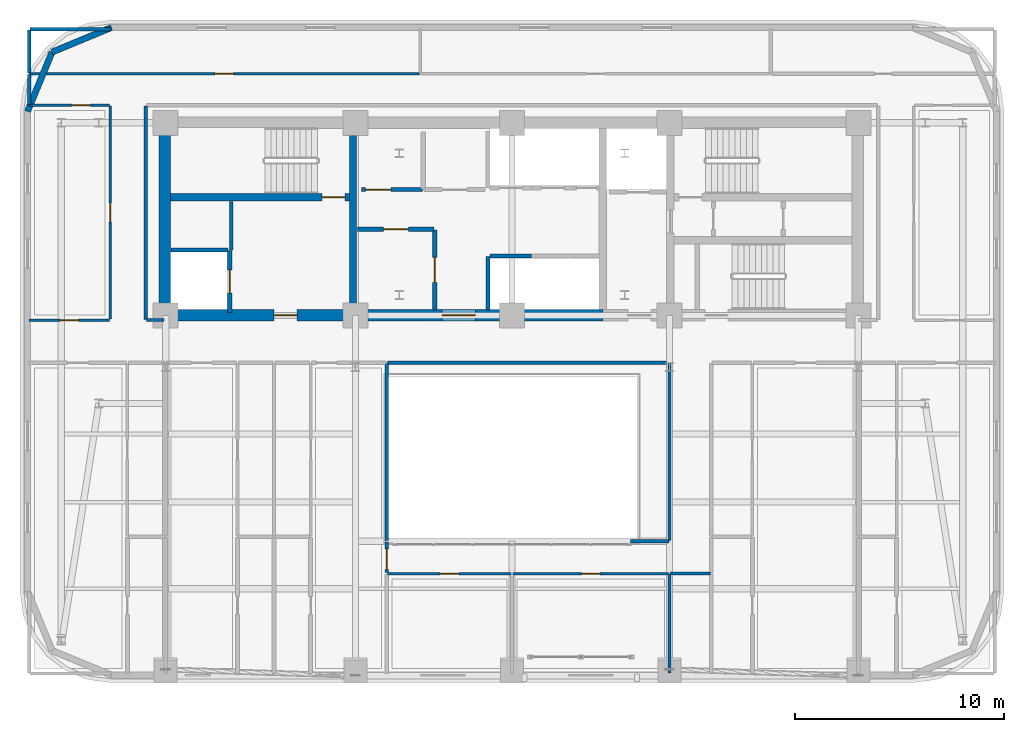
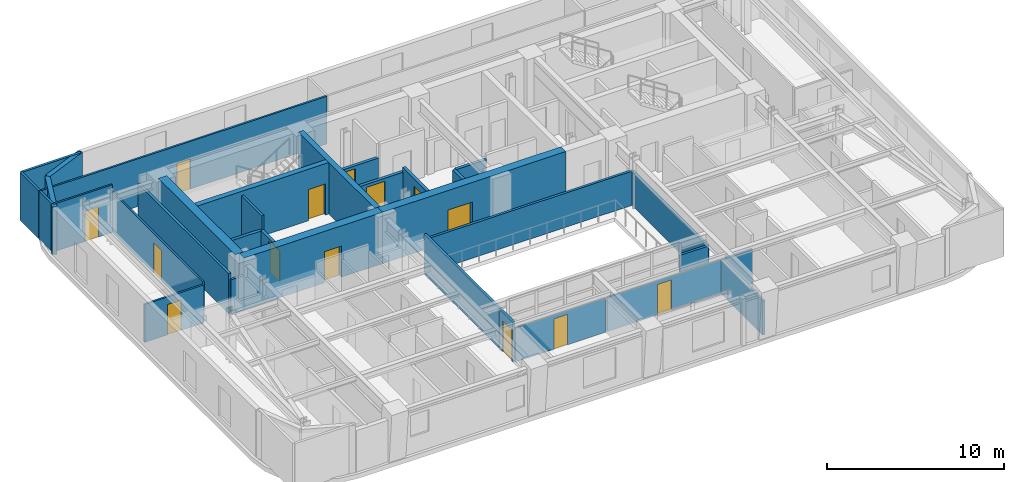
# One storey, part 7 of 13: 33 walls, 14 doors, 14 openings.
"""IFC4 building model written with IfcOpenShell, lengths in metres."""

from ifc_helpers import new_model, si_unit, direction, frame, frame_2d, origin, place, context, subcontext, project, spatial, rectangle, extrude, material, layer, layer_set, type_object, element, fill, save


model = new_model("IFC4")

# Units and contexts
model_context = context("Model", 3, precision=1e-05, world=origin(), true_north=direction((0.0, 1.0)))
body_context = subcontext(model_context, "Body", "Model", "MODEL_VIEW")
ifc_project = project(units=[si_unit("LENGTHUNIT", "METRE"), si_unit("AREAUNIT", "SQUARE_METRE"), si_unit("VOLUMEUNIT", "CUBIC_METRE"), si_unit("PLANEANGLEUNIT", "RADIAN"), si_unit("MASSUNIT", "GRAM", prefix="KILO")], contexts=[model_context])

# Site, building, storey
site_placement = place(None, origin())
site = spatial("IfcSite", under=ifc_project, at=site_placement, CompositionType="ELEMENT")
building_placement = place(site_placement, origin())
building = spatial("IfcBuilding", under=site, at=building_placement, Name="Zarnavel Station Tower", CompositionType="ELEMENT")
storey_placement = place(building_placement, frame((0.0, 0.0, 169.64990234375)))
storey = spatial("IfcBuildingStorey", under=building, at=storey_placement, Name="L46", CompositionType="ELEMENT", Elevation=169.64990234375)

# Wall
ifc_material_1 = material(Name="Concrete C50/60", Category="concrete")
ifc_layer_1 = layer(ifc_material_1, 0.35009765625)
ifc_layer_set_1 = layer_set([ifc_layer_1], Name="CW_350")
wall_type_1 = type_object("IfcWallType", Name="CW_350", PredefinedType="SHEAR", material=ifc_layer_set_1)
wall_1_placement = place(storey_placement, frame((21.179931640625, 28.094970703125, 0.0), z_axis=(0.0, 0.0, 1.0), x_axis=(0.0, 1.0, 0.0)))
element("IfcWall", 1, at=wall_1_placement, inside=storey, type_object=wall_type_1, Name="L46 Rear Core Shear Wall DIV-W", PredefinedType="SHEAR", context=body_context, shape_type="SweptSolid", body=[
    extrude(rectangle(XDim=8.679931640625, YDim=0.35009765625, at=frame_2d((4.33984375, 0.0))), origin(), (0.0, 0.0, 1.0), 3.550048828125),
])

# Wall, opening, door
wall_2_placement = place(storey_placement, frame((21.0048828125, 33.47998046875, 0.0), z_axis=(0.0, 0.0, 1.0), x_axis=(-1.0, 0.0, 0.0)))
wall_2 = element("IfcWall", 2, at=wall_2_placement, inside=storey, type_object=wall_type_1, Name="L46 Rear Core Shear Wall DIV-H1", PredefinedType="SHEAR", context=body_context, shape_type="SweptSolid", body=[
    extrude(rectangle(XDim=8.579833984375, YDim=0.35009765625, at=frame_2d((4.2900390625, 0.0))), origin(), (0.0, 0.0, 1.0), 3.550048828125),
])
opening_1_placement = place(wall_2_placement, frame((0.219970703125, 0.0, 0.0)))
opening_1 = element("IfcOpeningElement", 3, at=opening_1_placement, cuts=wall_2, Name="Opening FD01", PredefinedType="OPENING", context=body_context, shape_type="SweptSolid", body=[
    extrude(rectangle(XDim=1.10009765625, YDim=2.14990234375, at=frame_2d((0.550048828125, 1.074951171875))), frame((0.0, 0.18505859375, 0.0), z_axis=(0.0, -1.0, 0.0), x_axis=(1.0, 0.0, 0.0)), (0.0, 0.0, 1.0), 0.3701171875),
])
ifc_material_2 = material(Name="Painted Galvanised Steel and Hardwood Leaf", Category="steel")
door_type_1 = type_object("IfcDoorType", Name="ID_STAIR_1100", OperationType="NOTDEFINED", PredefinedType="DOOR", material=ifc_material_2)
door_1_placement = place(opening_1_placement, origin())
door_1 = element("IfcDoor", 4, at=door_1_placement, inside=storey, type_object=door_type_1, Name="L46 Stair ST1 Lobby Fire Door", OperationType="SINGLE_SWING_LEFT", OverallHeight=2.14990234375, OverallWidth=1.10009765625, PredefinedType="DOOR", context=body_context, shape_type="SweptSolid", body=[
    extrude(rectangle(XDim=1.10009765625, YDim=2.14990234375, at=frame_2d((0.550048828125, 1.074951171875))), frame((0.0, 0.02490234375, 0.0), z_axis=(0.0, -1.0, 0.0), x_axis=(1.0, 0.0, 0.0)), (0.0, 0.0, 1.0), 0.050048828125),
])
fill(opening_1, door_1)

ifc_material_3 = material(Name="Concrete C50/60", Category="concrete")
ifc_layer_2 = layer(ifc_material_3, 0.550048828125)
ifc_layer_set_2 = layer_set([ifc_layer_2], Name="CW_550")
wall_type_2 = type_object("IfcWallType", Name="CW_550", PredefinedType="SHEAR", material=ifc_layer_set_2)
wall_3_placement = place(storey_placement, frame((21.179931640625, 27.820068359375, 0.0), z_axis=(0.0, 0.0, 1.0), x_axis=(-1.0, 0.0, 0.0)))
wall_3 = element("IfcWall", 5, at=wall_3_placement, inside=storey, type_object=wall_type_2, Name="L46 Rear Core Shear Wall S-W", PredefinedType="SHEAR", context=body_context, shape_type="SweptSolid", body=[
    extrude(rectangle(XDim=9.030029296875, YDim=0.550048828125, at=frame_2d((4.51513671875, 0.0))), origin(), (0.0, 0.0, 1.0), 3.550048828125),
])
opening_2_placement = place(wall_3_placement, frame((2.679931640625, 0.0, 0.0)))
opening_2 = element("IfcOpeningElement", 6, at=opening_2_placement, cuts=wall_3, Name="Opening FD01", PredefinedType="OPENING", context=body_context, shape_type="SweptSolid", body=[
    extrude(rectangle(XDim=1.10009765625, YDim=2.14990234375, at=frame_2d((0.550048828125, 1.074951171875))), frame((0.0, 0.284912109375, 0.0), z_axis=(0.0, -1.0, 0.0), x_axis=(1.0, 0.0, 0.0)), (0.0, 0.0, 1.0), 0.570068359375),
])
door_2_placement = place(opening_2_placement, origin())
door_2 = element("IfcDoor", 7, at=door_2_placement, inside=storey, type_object=door_type_1, Name="L46 West Firefighting Lobby Door", OperationType="SINGLE_SWING_RIGHT", OverallHeight=2.14990234375, OverallWidth=1.10009765625, PredefinedType="DOOR", context=body_context, shape_type="SweptSolid", body=[
    extrude(rectangle(XDim=1.10009765625, YDim=2.14990234375, at=frame_2d((0.550048828125, 1.074951171875))), frame((0.0, 0.02490234375, 0.0), z_axis=(0.0, -1.0, 0.0), x_axis=(1.0, 0.0, 0.0)), (0.0, 0.0, 1.0), 0.050048828125),
])
fill(opening_2, door_2)

wall_4_placement = place(storey_placement, frame((33.14990234375, 27.820068359375, 0.0), z_axis=(0.0, 0.0, 1.0), x_axis=(-1.0, 0.0, 0.0)))
wall_4 = element("IfcWall", 8, at=wall_4_placement, inside=storey, type_object=wall_type_2, Name="L46 Rear Core Shear Wall S-M", PredefinedType="SHEAR", context=body_context, shape_type="SweptSolid", body=[
    extrude(rectangle(XDim=11.969970703125, YDim=0.550048828125, at=frame_2d((5.98486328125, 0.0))), origin(), (0.0, 0.0, 1.0), 3.550048828125),
])
opening_3_placement = place(wall_4_placement, frame((6.10009765625, 0.0, 0.0)))
opening_3 = element("IfcOpeningElement", 9, at=opening_3_placement, cuts=wall_4, Name="Opening ID03", PredefinedType="OPENING", context=body_context, shape_type="SweptSolid", body=[
    extrude(rectangle(XDim=1.60009765625, YDim=2.199951171875, at=frame_2d((0.800048828125, 1.10009765625))), frame((0.0, 0.284912109375, 0.0), z_axis=(0.0, -1.0, 0.0), x_axis=(1.0, 0.0, 0.0)), (0.0, 0.0, 1.0), 0.570068359375),
])
ifc_material_4 = material(Name="Painted Galvanised Steel and Hardwood Leaf", Category="steel")
door_type_2 = type_object("IfcDoorType", Name="ID_PUBLIC_1600", OperationType="DOUBLE_DOOR_SINGLE_SWING", PredefinedType="DOOR", material=ifc_material_4)
door_3_placement = place(opening_3_placement, origin())
door_3 = element("IfcDoor", 10, at=door_3_placement, inside=storey, type_object=door_type_2, Name="L46 Passenger Lift Lobby Double Door", OperationType="SINGLE_SWING_LEFT", OverallHeight=2.199951171875, OverallWidth=1.60009765625, PredefinedType="DOOR", context=body_context, shape_type="SweptSolid", body=[
    extrude(rectangle(XDim=1.60009765625, YDim=2.199951171875, at=frame_2d((0.800048828125, 1.10009765625))), frame((0.0, 0.02490234375, 0.0), z_axis=(0.0, -1.0, 0.0), x_axis=(1.0, 0.0, 0.0)), (0.0, 0.0, 1.0), 0.050048828125),
])
fill(opening_3, door_3)

# Walls
wall_5_placement = place(storey_placement, frame((12.14990234375, 28.094970703125, 0.0), z_axis=(0.0, 0.0, 1.0), x_axis=(0.0, 1.0, 0.0)))
element("IfcWall", 11, at=wall_5_placement, inside=storey, type_object=wall_type_2, Name="L46 Rear Core Shear Wall W", PredefinedType="SHEAR", context=body_context, shape_type="SweptSolid", body=[
    extrude(rectangle(XDim=8.679931640625, YDim=0.550048828125, at=frame_2d((4.33984375, 0.0))), origin(), (0.0, 0.0, 1.0), 3.550048828125),
])
ifc_material_5 = material(Name="Precast concrete C45/55 (Dark Basalt Finish)", Category="masonry")
ifc_layer_3 = layer(ifc_material_5, 0.300048828125)
ifc_layer_set_3 = layer_set([ifc_layer_3], Name="EW_BASALT_300")
wall_type_3 = type_object("IfcWallType", Name="EW_BASALT_300", PredefinedType="SOLIDWALL", material=ifc_layer_set_3)
wall_6_placement = place(storey_placement, frame((6.75732421875, 40.442626953125, 0.0), z_axis=(0.0, 0.0, 1.0), x_axis=(0.923882414032, 0.382676475685, 0.0)))
element("IfcWall", 12, at=wall_6_placement, inside=storey, type_object=wall_type_3, Name="L46 Exterior Basalt Masonry Frame Wall 07", PredefinedType="SOLIDWALL", context=body_context, shape_type="SweptSolid", body=[
    extrude(rectangle(XDim=3.076904296875, YDim=0.300048828125, at=frame_2d((1.53857421875, 0.0))), origin(), (0.0, 0.0, 1.0), 3.2900390625),
])
wall_7_placement = place(storey_placement, frame((5.580078125, 37.60009765625, 0.0), z_axis=(0.0, 0.0, 1.0), x_axis=(0.382636798336, 0.92389884758, 0.0)))
element("IfcWall", 13, at=wall_7_placement, inside=storey, type_object=wall_type_3, Name="L46 Exterior Basalt Masonry Frame Wall 08", PredefinedType="SOLIDWALL", context=body_context, shape_type="SweptSolid", body=[
    extrude(rectangle(XDim=3.07666015625, YDim=0.300048828125, at=frame_2d((1.538330078125, 0.0))), origin(), (0.0, 0.0, 1.0), 3.2900390625),
])

# Wall, opening, door
ifc_material_6 = material(Name="Gypsum Twin-Stud Acoustic Fire Partition", Category="concrete")
ifc_layer_4 = layer(ifc_material_6, 0.159912109375)
ifc_layer_set_4 = layer_set([ifc_layer_4], Name="PT_DEMISE_160")
wall_type_4 = type_object("IfcWallType", Name="PT_DEMISE_160", PredefinedType="PARTITIONING", material=ifc_layer_set_4)
wall_8_placement = place(storey_placement, frame((22.800048828125, 15.489990234375, 0.0), z_axis=(0.0, 0.0, 1.0), x_axis=(0.0, 1.0, 0.0)))
wall_8 = element("IfcWall", 14, at=wall_8_placement, inside=storey, type_object=wall_type_4, Name="L46 Partition COR-AS-HW3R", PredefinedType="PARTITIONING", context=body_context, shape_type="SweptSolid", body=[
    extrude(rectangle(XDim=1.469970703125, YDim=0.159912109375, at=frame_2d((0.73486328125, 0.0))), origin(), (0.0, 0.0, 1.0), 2.72998046875),
])
opening_4_placement = place(wall_8_placement, frame((0.14794921875, 0.0, 0.0)))
opening_4 = element("IfcOpeningElement", 15, at=opening_4_placement, cuts=wall_8, Name="Opening FD02", PredefinedType="OPENING", context=body_context, shape_type="SweptSolid", body=[
    extrude(rectangle(XDim=1.0, YDim=2.14990234375, at=frame_2d((0.5, 1.074951171875))), frame((0.0, 0.08984375, 0.0), z_axis=(0.0, -1.0, 0.0), x_axis=(1.0, 0.0, 0.0)), (0.0, 0.0, 1.0), 0.179931640625),
])
ifc_material_7 = material(Name="Painted Galvanised Steel and Hardwood Leaf", Category="steel")
door_type_3 = type_object("IfcDoorType", Name="ID_ENTRY_1000", OperationType="NOTDEFINED", PredefinedType="DOOR", material=ifc_material_7)
door_4_placement = place(opening_4_placement, origin())
door_4 = element("IfcDoor", 16, at=door_4_placement, inside=storey, type_object=door_type_3, Name="L46 Door COR-AS-HW3R", OperationType="SINGLE_SWING_RIGHT", OverallHeight=2.14990234375, OverallWidth=1.0, PredefinedType="DOOR", context=body_context, shape_type="SweptSolid", body=[
    extrude(rectangle(XDim=1.0, YDim=2.14990234375, at=frame_2d((0.5, 1.074951171875))), frame((0.0, 0.02490234375, 0.0), z_axis=(0.0, -1.0, 0.0), x_axis=(1.0, 0.0, 0.0)), (0.0, 0.0, 1.0), 0.050048828125),
])
fill(opening_4, door_4)

# Walls
wall_9_placement = place(storey_placement, frame((15.35009765625, 30.9599609375, 0.0), z_axis=(0.0, 0.0, 1.0), x_axis=(0.0, 1.0, 0.0)))
element("IfcWall", 17, at=wall_9_placement, inside=storey, type_object=wall_type_4, Name="L46 Enclosure Wall FFL1", PredefinedType="PARTITIONING", context=body_context, shape_type="SweptSolid", body=[
    extrude(rectangle(XDim=2.31005859375, YDim=0.159912109375, at=frame_2d((1.155029296875, 0.0))), origin(), (0.0, 0.0, 1.0), 3.2900390625),
])
wall_10_placement = place(storey_placement, frame((22.830078125, 25.550048828125, 0.0), z_axis=(0.0, 0.0, 1.0), x_axis=(1.0, 0.0, 0.0)))
element("IfcWall", 18, at=wall_10_placement, inside=storey, type_object=wall_type_4, Name="L46 Enclosure Wall COR-S", PredefinedType="PARTITIONING", context=body_context, shape_type="SweptSolid", body=[
    extrude(rectangle(XDim=13.489990234375, YDim=0.159912109375, at=frame_2d((6.7451171875, 0.0))), origin(), (0.0, 0.0, 1.0), 2.360107421875),
])
wall_11_placement = place(storey_placement, frame((11.280029296875, 27.60009765625, 0.0), z_axis=(0.0, 0.0, 1.0), x_axis=(1.0, 0.0, 0.0)))
element("IfcWall", 19, at=wall_11_placement, inside=storey, type_object=wall_type_4, Name="L46 Enclosure Wall COR-S", PredefinedType="PARTITIONING", context=body_context, shape_type="SweptSolid", body=[
    extrude(rectangle(XDim=0.840087890625, YDim=0.159912109375, at=frame_2d((0.419921875, 0.0))), origin(), (0.0, 0.0, 1.0), 2.360107421875),
])
wall_12_placement = place(storey_placement, frame((11.25, 27.6298828125, 0.0), z_axis=(0.0, 0.0, 1.0), x_axis=(0.0, 1.0, 0.0)))
element("IfcWall", 20, at=wall_12_placement, inside=storey, type_object=wall_type_4, Name="L46 Enclosure Wall COR-W", PredefinedType="PARTITIONING", context=body_context, shape_type="SweptSolid", body=[
    extrude(rectangle(XDim=10.240234375, YDim=0.159912109375, at=frame_2d((5.1201171875, 0.0))), origin(), (0.0, 0.0, 1.0), 2.77001953125),
])
wall_13_placement = place(storey_placement, frame((5.659912109375, 37.929931640625, 0.0), z_axis=(0.0, 0.0, 1.0), x_axis=(0.0, 1.0, 0.0)))
element("IfcWall", 21, at=wall_13_placement, inside=storey, type_object=wall_type_4, Name="L46 Enclosure Wall COR-N", PredefinedType="PARTITIONING", context=body_context, shape_type="SweptSolid", body=[
    extrude(rectangle(XDim=1.440185546875, YDim=0.159912109375, at=frame_2d((0.72021484375, 0.0))), origin(), (0.0, 0.0, 1.0), 3.2900390625),
])
wall_14_placement = place(storey_placement, frame((36.3798828125, 15.449951171875, 0.0), z_axis=(0.0, 0.0, 1.0), x_axis=(1.0, 0.0, 0.0)))
element("IfcWall", 22, at=wall_14_placement, inside=storey, type_object=wall_type_4, Name="L46 Enclosure Wall COR-AE", PredefinedType="PARTITIONING", context=body_context, shape_type="SweptSolid", body=[
    extrude(rectangle(XDim=1.940185546875, YDim=0.159912109375, at=frame_2d((0.97021484375, 0.0))), origin(), (0.0, 0.0, 1.0), 2.360107421875),
])
wall_15_placement = place(storey_placement, frame((36.35009765625, 17.030029296875, 0.0), z_axis=(0.0, 0.0, 1.0), x_axis=(0.0, 1.0, 0.0)))
element("IfcWall", 23, at=wall_15_placement, inside=storey, type_object=wall_type_4, Name="L46 Enclosure Wall COR-AE", PredefinedType="PARTITIONING", context=body_context, shape_type="SweptSolid", body=[
    extrude(rectangle(XDim=8.489990234375, YDim=0.159912109375, at=frame_2d((4.2451171875, 0.0))), origin(), (0.0, 0.0, 1.0), 2.360107421875),
])
wall_16_placement = place(storey_placement, frame((34.47998046875, 17.0, 0.0), z_axis=(0.0, 0.0, 1.0), x_axis=(1.0, 0.0, 0.0)))
element("IfcWall", 24, at=wall_16_placement, inside=storey, type_object=wall_type_4, Name="L46 Enclosure Wall COR-AS", PredefinedType="PARTITIONING", context=body_context, shape_type="SweptSolid", body=[
    extrude(rectangle(XDim=1.840087890625, YDim=0.159912109375, at=frame_2d((0.919921875, 0.0))), origin(), (0.0, 0.0, 1.0), 2.360107421875),
])
wall_17_placement = place(storey_placement, frame((5.68994140625, 41.5400390625, 0.0), z_axis=(0.0, 0.0, 1.0), x_axis=(1.0, 0.0, 0.0)))
element("IfcWall", 25, at=wall_17_placement, inside=storey, type_object=wall_type_4, Name="L46 Enclosure Wall NLIB", PredefinedType="PARTITIONING", context=body_context, shape_type="SweptSolid", body=[
    extrude(rectangle(XDim=3.880126953125, YDim=0.159912109375, at=frame_2d((1.93994140625, 0.0))), origin(), (0.0, 0.0, 1.0), 3.2900390625),
])
wall_18_placement = place(storey_placement, frame((5.659912109375, 39.429931640625, 0.0), z_axis=(0.0, 0.0, 1.0), x_axis=(0.0, 1.0, 0.0)))
element("IfcWall", 26, at=wall_18_placement, inside=storey, type_object=wall_type_4, Name="L46 Enclosure Wall NLIB", PredefinedType="PARTITIONING", context=body_context, shape_type="SweptSolid", body=[
    extrude(rectangle(XDim=2.080078125, YDim=0.159912109375, at=frame_2d((1.0400390625, 0.0))), origin(), (0.0, 0.0, 1.0), 3.2900390625),
])
wall_19_placement = place(storey_placement, frame((22.800048828125, 17.030029296875, 0.0), z_axis=(0.0, 0.0, 1.0), x_axis=(0.0, 1.0, 0.0)))
element("IfcWall", 27, at=wall_19_placement, inside=storey, type_object=wall_type_4, Name="L46 Enclosure Wall HW3R", PredefinedType="PARTITIONING", context=body_context, shape_type="SweptSolid", body=[
    extrude(rectangle(XDim=8.489990234375, YDim=0.159912109375, at=frame_2d((4.2451171875, 0.0))), origin(), (0.0, 0.0, 1.0), 2.72998046875),
])
wall_20_placement = place(storey_placement, frame((36.35009765625, 10.68994140625, 0.0), z_axis=(0.0, 0.0, 1.0), x_axis=(0.0, 1.0, 0.0)))
element("IfcWall", 28, at=wall_20_placement, inside=storey, type_object=wall_type_4, Name="L46 Enclosure Wall L45STD", PredefinedType="PARTITIONING", context=body_context, shape_type="SweptSolid", body=[
    extrude(rectangle(XDim=4.72998046875, YDim=0.159912109375, at=frame_2d((2.364990234375, 0.0))), origin(), (0.0, 0.0, 1.0), 2.360107421875),
])

# Wall, opening, door
ifc_material_8 = material(Name="Gypsum Metal-Stud Interior Partition", Category="concrete")
ifc_layer_5 = layer(ifc_material_8, 0.1201171875)
ifc_layer_set_5 = layer_set([ifc_layer_5], Name="PT_ROOM_120")
wall_type_5 = type_object("IfcWallType", Name="PT_ROOM_120", PredefinedType="PARTITIONING", material=ifc_layer_set_5)
wall_21_placement = place(storey_placement, frame((5.659912109375, 27.60009765625, 0.0), z_axis=(0.0, 0.0, 1.0), x_axis=(1.0, 0.0, 0.0)))
wall_21 = element("IfcWall", 29, at=wall_21_placement, inside=storey, type_object=wall_type_5, Name="L46 Partition COR-S-FNW", PredefinedType="PARTITIONING", context=body_context, shape_type="SweptSolid", body=[
    extrude(rectangle(XDim=3.85009765625, YDim=0.1201171875, at=frame_2d((1.925048828125, 0.0))), origin(), (0.0, 0.0, 1.0), 2.6201171875),
])
opening_5_placement = place(wall_21_placement, frame((1.47509765625, 0.0, 0.0)))
opening_5 = element("IfcOpeningElement", 30, at=opening_5_placement, cuts=wall_21, Name="Opening ID01", PredefinedType="OPENING", context=body_context, shape_type="SweptSolid", body=[
    extrude(rectangle(XDim=0.89990234375, YDim=2.10009765625, at=frame_2d((0.449951171875, 1.050048828125))), frame((0.0, 0.070068359375, 0.0), z_axis=(0.0, -1.0, 0.0), x_axis=(1.0, 0.0, 0.0)), (0.0, 0.0, 1.0), 0.14013671875),
])
ifc_material_9 = material(Name="Painted Galvanised Steel and Hardwood Leaf", Category="steel")
door_type_4 = type_object("IfcDoorType", Name="ID_ROOM_900", OperationType="NOTDEFINED", PredefinedType="DOOR", material=ifc_material_9)
door_5_placement = place(opening_5_placement, origin())
door_5 = element("IfcDoor", 31, at=door_5_placement, inside=storey, type_object=door_type_4, Name="L46 Door COR-S-FNW", OperationType="SINGLE_SWING_RIGHT", OverallHeight=2.10009765625, OverallWidth=0.89990234375, PredefinedType="DOOR", context=body_context, shape_type="SweptSolid", body=[
    extrude(rectangle(XDim=0.89990234375, YDim=2.10009765625, at=frame_2d((0.449951171875, 1.050048828125))), frame((0.0, 0.02490234375, 0.0), z_axis=(0.0, -1.0, 0.0), x_axis=(1.0, 0.0, 0.0)), (0.0, 0.0, 1.0), 0.050048828125),
])
fill(opening_5, door_5)

wall_22_placement = place(storey_placement, frame((9.550048828125, 27.639892578125, 0.0), z_axis=(0.0, 0.0, 1.0), x_axis=(0.0, 1.0, 0.0)))
wall_22 = element("IfcWall", 32, at=wall_22_placement, inside=storey, type_object=wall_type_5, Name="L46 Partition COR-W-FNW", PredefinedType="PARTITIONING", context=body_context, shape_type="SweptSolid", body=[
    extrude(rectangle(XDim=10.22021484375, YDim=0.1201171875, at=frame_2d((5.110107421875, 0.0))), origin(), (0.0, 0.0, 1.0), 2.77001953125),
])
opening_6_placement = place(wall_22_placement, frame((4.659912109375, 0.0, 0.0)))
opening_6 = element("IfcOpeningElement", 33, at=opening_6_placement, cuts=wall_22, Name="Opening ID01", PredefinedType="OPENING", context=body_context, shape_type="SweptSolid", body=[
    extrude(rectangle(XDim=0.89990234375, YDim=2.10009765625, at=frame_2d((0.449951171875, 1.050048828125))), frame((0.0, 0.070068359375, 0.0), z_axis=(0.0, -1.0, 0.0), x_axis=(1.0, 0.0, 0.0)), (0.0, 0.0, 1.0), 0.14013671875),
])
door_6_placement = place(opening_6_placement, origin())
door_6 = element("IfcDoor", 34, at=door_6_placement, inside=storey, type_object=door_type_4, Name="L46 Door COR-W-FNW", OperationType="SINGLE_SWING_LEFT", OverallHeight=2.10009765625, OverallWidth=0.89990234375, PredefinedType="DOOR", context=body_context, shape_type="SweptSolid", body=[
    extrude(rectangle(XDim=0.89990234375, YDim=2.10009765625, at=frame_2d((0.449951171875, 1.050048828125))), frame((0.0, 0.02490234375, 0.0), z_axis=(0.0, -1.0, 0.0), x_axis=(1.0, 0.0, 0.0)), (0.0, 0.0, 1.0), 0.050048828125),
])
fill(opening_6, door_6)

wall_23_placement = place(storey_placement, frame((5.659912109375, 37.89990234375, 0.0), z_axis=(0.0, 0.0, 1.0), x_axis=(1.0, 0.0, 0.0)))
wall_23 = element("IfcWall", 35, at=wall_23_placement, inside=storey, type_object=wall_type_5, Name="L46 Partition COR-N-FNW", PredefinedType="PARTITIONING", context=body_context, shape_type="SweptSolid", body=[
    extrude(rectangle(XDim=3.85009765625, YDim=0.1201171875, at=frame_2d((1.925048828125, 0.0))), origin(), (0.0, 0.0, 1.0), 3.2900390625),
])
opening_7_placement = place(wall_23_placement, frame((2.03125, 0.0, 0.0)))
opening_7 = element("IfcOpeningElement", 36, at=opening_7_placement, cuts=wall_23, Name="Opening ID01", PredefinedType="OPENING", context=body_context, shape_type="SweptSolid", body=[
    extrude(rectangle(XDim=0.89990234375, YDim=2.10009765625, at=frame_2d((0.449951171875, 1.050048828125))), frame((0.0, 0.070068359375, 0.0), z_axis=(0.0, -1.0, 0.0), x_axis=(1.0, 0.0, 0.0)), (0.0, 0.0, 1.0), 0.14013671875),
])
door_7_placement = place(opening_7_placement, origin())
door_7 = element("IfcDoor", 37, at=door_7_placement, inside=storey, type_object=door_type_4, Name="L46 Door COR-N-FNW", OperationType="SINGLE_SWING_LEFT", OverallHeight=2.10009765625, OverallWidth=0.89990234375, PredefinedType="DOOR", context=body_context, shape_type="SweptSolid", body=[
    extrude(rectangle(XDim=0.89990234375, YDim=2.10009765625, at=frame_2d((0.449951171875, 1.050048828125))), frame((0.0, 0.02490234375, 0.0), z_axis=(0.0, -1.0, 0.0), x_axis=(1.0, 0.0, 0.0)), (0.0, 0.0, 1.0), 0.050048828125),
])
fill(opening_7, door_7)

wall_24_placement = place(storey_placement, frame((5.659912109375, 39.39990234375, 0.0), z_axis=(0.0, 0.0, 1.0), x_axis=(1.0, 0.0, 0.0)))
wall_24 = element("IfcWall", 38, at=wall_24_placement, inside=storey, type_object=wall_type_5, Name="L46 Partition COR-N-NLIB", PredefinedType="PARTITIONING", context=body_context, shape_type="SweptSolid", body=[
    extrude(rectangle(XDim=18.7001953125, YDim=0.1201171875, at=frame_2d((9.35009765625, 0.0))), origin(), (0.0, 0.0, 1.0), 3.2900390625),
])
opening_8_placement = place(wall_24_placement, frame((8.89990234375, 0.0, 0.0)))
opening_8 = element("IfcOpeningElement", 39, at=opening_8_placement, cuts=wall_24, Name="Opening ID01", PredefinedType="OPENING", context=body_context, shape_type="SweptSolid", body=[
    extrude(rectangle(XDim=0.89990234375, YDim=2.10009765625, at=frame_2d((0.449951171875, 1.050048828125))), frame((0.0, 0.070068359375, 0.0), z_axis=(0.0, -1.0, 0.0), x_axis=(1.0, 0.0, 0.0)), (0.0, 0.0, 1.0), 0.14013671875),
])
door_8_placement = place(opening_8_placement, origin())
door_8 = element("IfcDoor", 40, at=door_8_placement, inside=storey, type_object=door_type_4, Name="L46 Door COR-N-NLIB", OperationType="SINGLE_SWING_LEFT", OverallHeight=2.10009765625, OverallWidth=0.89990234375, PredefinedType="DOOR", context=body_context, shape_type="SweptSolid", body=[
    extrude(rectangle(XDim=0.89990234375, YDim=2.10009765625, at=frame_2d((0.449951171875, 1.050048828125))), frame((0.0, 0.02490234375, 0.0), z_axis=(0.0, -1.0, 0.0), x_axis=(1.0, 0.0, 0.0)), (0.0, 0.0, 1.0), 0.050048828125),
])
fill(opening_8, door_8)

wall_25_placement = place(storey_placement, frame((22.840087890625, 15.449951171875, 0.0), z_axis=(0.0, 0.0, 1.0), x_axis=(1.0, 0.0, 0.0)))
wall_25 = element("IfcWall", 41, at=wall_25_placement, inside=storey, type_object=wall_type_5, Name="L46 Partition COR-AS-L45BAR", PredefinedType="PARTITIONING", context=body_context, shape_type="SweptSolid", body=[
    extrude(rectangle(XDim=5.919921875, YDim=0.1201171875, at=frame_2d((2.9599609375, 0.0))), origin(), (0.0, 0.0, 1.0), 2.360107421875),
])
opening_9_placement = place(wall_25_placement, frame((2.510009765625, 0.0, 0.0)))
opening_9 = element("IfcOpeningElement", 42, at=opening_9_placement, cuts=wall_25, Name="Opening ID01", PredefinedType="OPENING", context=body_context, shape_type="SweptSolid", body=[
    extrude(rectangle(XDim=0.89990234375, YDim=2.10009765625, at=frame_2d((0.449951171875, 1.050048828125))), frame((0.0, 0.070068359375, 0.0), z_axis=(0.0, -1.0, 0.0), x_axis=(1.0, 0.0, 0.0)), (0.0, 0.0, 1.0), 0.14013671875),
])
door_9_placement = place(opening_9_placement, origin())
door_9 = element("IfcDoor", 43, at=door_9_placement, inside=storey, type_object=door_type_4, Name="L46 Door COR-AS-L45BAR", OperationType="SINGLE_SWING_LEFT", OverallHeight=2.10009765625, OverallWidth=0.89990234375, PredefinedType="DOOR", context=body_context, shape_type="SweptSolid", body=[
    extrude(rectangle(XDim=0.89990234375, YDim=2.10009765625, at=frame_2d((0.449951171875, 1.050048828125))), frame((0.0, 0.02490234375, 0.0), z_axis=(0.0, -1.0, 0.0), x_axis=(1.0, 0.0, 0.0)), (0.0, 0.0, 1.0), 0.050048828125),
])
fill(opening_9, door_9)

wall_26_placement = place(storey_placement, frame((28.840087890625, 15.449951171875, 0.0), z_axis=(0.0, 0.0, 1.0), x_axis=(1.0, 0.0, 0.0)))
wall_26 = element("IfcWall", 44, at=wall_26_placement, inside=storey, type_object=wall_type_5, Name="L46 Partition COR-AS-L45STD", PredefinedType="PARTITIONING", context=body_context, shape_type="SweptSolid", body=[
    extrude(rectangle(XDim=7.469970703125, YDim=0.1201171875, at=frame_2d((3.73486328125, 0.0))), origin(), (0.0, 0.0, 1.0), 2.360107421875),
])
opening_10_placement = place(wall_26_placement, frame((3.284912109375, 0.0, 0.0)))
opening_10 = element("IfcOpeningElement", 45, at=opening_10_placement, cuts=wall_26, Name="Opening ID01", PredefinedType="OPENING", context=body_context, shape_type="SweptSolid", body=[
    extrude(rectangle(XDim=0.89990234375, YDim=2.10009765625, at=frame_2d((0.449951171875, 1.050048828125))), frame((0.0, 0.070068359375, 0.0), z_axis=(0.0, -1.0, 0.0), x_axis=(1.0, 0.0, 0.0)), (0.0, 0.0, 1.0), 0.14013671875),
])
door_10_placement = place(opening_10_placement, origin())
door_10 = element("IfcDoor", 46, at=door_10_placement, inside=storey, type_object=door_type_4, Name="L46 Door COR-AS-L45STD", OperationType="SINGLE_SWING_RIGHT", OverallHeight=2.10009765625, OverallWidth=0.89990234375, PredefinedType="DOOR", context=body_context, shape_type="SweptSolid", body=[
    extrude(rectangle(XDim=0.89990234375, YDim=2.10009765625, at=frame_2d((0.449951171875, 1.050048828125))), frame((0.0, 0.02490234375, 0.0), z_axis=(0.0, -1.0, 0.0), x_axis=(1.0, 0.0, 0.0)), (0.0, 0.0, 1.0), 0.050048828125),
])
fill(opening_10, door_10)

ifc_material_10 = material(Name="Precast concrete C45/55 (Fire Shaft Blockwork)", Category="masonry")
ifc_layer_6 = layer(ifc_material_10, 0.199951171875)
ifc_layer_set_6 = layer_set([ifc_layer_6], Name="PT_SHAFT_200")
wall_type_6 = type_object("IfcWallType", Name="PT_SHAFT_200", PredefinedType="PARTITIONING", material=ifc_layer_set_6)
wall_27_placement = place(storey_placement, frame((15.27001953125, 27.969970703125, 0.0), z_axis=(0.0, 0.0, 1.0), x_axis=(0.0, 1.0, 0.0)))
wall_27 = element("IfcWall", 47, at=wall_27_placement, inside=storey, type_object=wall_type_6, Name="L46 Lift FFL-01 Shaft Front Wall", PredefinedType="PARTITIONING", context=body_context, shape_type="SweptSolid", body=[
    extrude(rectangle(XDim=2.9599609375, YDim=0.199951171875, at=frame_2d((1.47998046875, 0.0))), origin(), (0.0, 0.0, 1.0), 2.360107421875),
])
opening_11_placement = place(wall_27_placement, frame((0.929931640625, 0.0, 0.0)))
opening_11 = element("IfcOpeningElement", 48, at=opening_11_placement, cuts=wall_27, Name="Opening LD01", PredefinedType="OPENING", context=body_context, shape_type="SweptSolid", body=[
    extrude(rectangle(XDim=1.10009765625, YDim=2.14990234375, at=frame_2d((0.550048828125, 1.074951171875))), frame((0.0, 0.10986328125, 0.0), z_axis=(0.0, -1.0, 0.0), x_axis=(1.0, 0.0, 0.0)), (0.0, 0.0, 1.0), 0.219970703125),
])
ifc_material_11 = material(Name="Painted Galvanised Steel and Hardwood Leaf", Category="steel")
door_type_5 = type_object("IfcDoorType", Name="LD_FF_1100", OperationType="DOUBLE_DOOR_SLIDING", PredefinedType="DOOR", material=ifc_material_11)
door_11_placement = place(opening_11_placement, origin())
door_11 = element("IfcDoor", 49, at=door_11_placement, inside=storey, type_object=door_type_5, Name="L46 Lift FFL-01 Sliding Landing Door", OperationType="DOUBLE_DOOR_SLIDING", OverallHeight=2.14990234375, OverallWidth=1.10009765625, PredefinedType="DOOR", context=body_context, shape_type="SweptSolid", body=[
    extrude(rectangle(XDim=1.10009765625, YDim=2.14990234375, at=frame_2d((0.550048828125, 1.074951171875))), frame((0.0, 0.02490234375, 0.0), z_axis=(0.0, -1.0, 0.0), x_axis=(1.0, 0.0, 0.0)), (0.0, 0.0, 1.0), 0.050048828125),
])
fill(opening_11, door_11)

# Walls
wall_28_placement = place(storey_placement, frame((12.449951171875, 30.949951171875, 0.0), z_axis=(0.0, 0.0, 1.0), x_axis=(1.0, 0.0, 0.0)))
element("IfcWall", 50, at=wall_28_placement, inside=storey, type_object=wall_type_6, Name="L46 Lift FFL-01 North Shaft Wall", PredefinedType="PARTITIONING", context=body_context, shape_type="SweptSolid", body=[
    extrude(rectangle(XDim=2.75, YDim=0.199951171875, at=frame_2d((1.375, 0.0))), origin(), (0.0, 0.0, 1.0), 2.360107421875),
])
wall_29_placement = place(storey_placement, frame((27.75, 30.669921875, 0.0), z_axis=(0.0, 0.0, 1.0), x_axis=(1.0, 0.0, 0.0)))
element("IfcWall", 51, at=wall_29_placement, inside=storey, type_object=wall_type_6, Name="L46 Lift PL-H1 Shaft Front Wall", PredefinedType="PARTITIONING", context=body_context, shape_type="SweptSolid", body=[
    extrude(rectangle(XDim=1.97509765625, YDim=0.199951171875, at=frame_2d((0.987548828125, 0.0))), origin(), (0.0, 0.0, 1.0), 2.360107421875),
])
wall_30_placement = place(storey_placement, frame((27.64990234375, 28.070068359375, 0.0), z_axis=(0.0, 0.0, 1.0), x_axis=(0.0, 1.0, 0.0)))
element("IfcWall", 52, at=wall_30_placement, inside=storey, type_object=wall_type_6, Name="L46 High-Rise Lift Bank West Shaft Wall", PredefinedType="PARTITIONING", context=body_context, shape_type="SweptSolid", body=[
    extrude(rectangle(XDim=2.579833984375, YDim=0.199951171875, at=frame_2d((1.2900390625, 0.0))), origin(), (0.0, 0.0, 1.0), 2.360107421875),
])

# Wall, opening, door
wall_31_placement = place(storey_placement, frame((21.39990234375, 31.949951171875, 0.0), z_axis=(0.0, 0.0, 1.0), x_axis=(1.0, 0.0, 0.0)))
wall_31 = element("IfcWall", 53, at=wall_31_placement, inside=storey, type_object=wall_type_6, Name="L46 Partition LLOB-CS1", PredefinedType="PARTITIONING", context=body_context, shape_type="SweptSolid", body=[
    extrude(rectangle(XDim=3.66015625, YDim=0.199951171875, at=frame_2d((1.830078125, 0.0))), origin(), (0.0, 0.0, 1.0), 2.360107421875),
])
opening_12_placement = place(wall_31_placement, frame((1.22998046875, 0.0, 0.0)))
opening_12 = element("IfcOpeningElement", 54, at=opening_12_placement, cuts=wall_31, Name="Opening FD03", PredefinedType="OPENING", context=body_context, shape_type="SweptSolid", body=[
    extrude(rectangle(XDim=1.199951171875, YDim=2.14990234375, at=frame_2d((0.60009765625, 1.074951171875))), frame((0.0, 0.10986328125, 0.0), z_axis=(0.0, -1.0, 0.0), x_axis=(1.0, 0.0, 0.0)), (0.0, 0.0, 1.0), 0.219970703125),
])
ifc_material_12 = material(Name="Painted Galvanised Steel and Hardwood Leaf", Category="steel")
door_type_6 = type_object("IfcDoorType", Name="ID_PLANT_1200", OperationType="NOTDEFINED", PredefinedType="DOOR", material=ifc_material_12)
door_12_placement = place(opening_12_placement, origin())
door_12 = element("IfcDoor", 55, at=door_12_placement, inside=storey, type_object=door_type_6, Name="L46 Door LLOB-CS1", OperationType="SINGLE_SWING_RIGHT", OverallHeight=2.14990234375, OverallWidth=1.199951171875, PredefinedType="DOOR", context=body_context, shape_type="SweptSolid", body=[
    extrude(rectangle(XDim=1.199951171875, YDim=2.14990234375, at=frame_2d((0.60009765625, 1.074951171875))), frame((0.0, 0.02490234375, 0.0), z_axis=(0.0, -1.0, 0.0), x_axis=(1.0, 0.0, 0.0)), (0.0, 0.0, 1.0), 0.050048828125),
])
fill(opening_12, door_12)

wall_32_placement = place(storey_placement, frame((21.590087890625, 33.85009765625, 0.0), z_axis=(0.0, 0.0, 1.0), x_axis=(1.0, 0.0, 0.0)))
wall_32 = element("IfcWall", 56, at=wall_32_placement, inside=storey, type_object=wall_type_6, Name="L46 Partition LLOB-FB1A", PredefinedType="PARTITIONING", context=body_context, shape_type="SweptSolid", body=[
    extrude(rectangle(XDim=2.919921875, YDim=0.199951171875, at=frame_2d((1.4599609375, 0.0))), origin(), (0.0, 0.0, 1.0), 2.360107421875),
])
opening_13_placement = place(wall_32_placement, frame((0.199951171875, 0.0, 0.0)))
opening_13 = element("IfcOpeningElement", 57, at=opening_13_placement, cuts=wall_32, Name="Opening FD03", PredefinedType="OPENING", context=body_context, shape_type="SweptSolid", body=[
    extrude(rectangle(XDim=1.199951171875, YDim=2.14990234375, at=frame_2d((0.60009765625, 1.074951171875))), frame((0.0, 0.10986328125, 0.0), z_axis=(0.0, -1.0, 0.0), x_axis=(1.0, 0.0, 0.0)), (0.0, 0.0, 1.0), 0.219970703125),
])
door_13_placement = place(opening_13_placement, origin())
door_13 = element("IfcDoor", 58, at=door_13_placement, inside=storey, type_object=door_type_6, Name="L46 Door LLOB-FB1A", OperationType="SINGLE_SWING_LEFT", OverallHeight=2.14990234375, OverallWidth=1.199951171875, PredefinedType="DOOR", context=body_context, shape_type="SweptSolid", body=[
    extrude(rectangle(XDim=1.199951171875, YDim=2.14990234375, at=frame_2d((0.60009765625, 1.074951171875))), frame((0.0, 0.02490234375, 0.0), z_axis=(0.0, -1.0, 0.0), x_axis=(1.0, 0.0, 0.0)), (0.0, 0.0, 1.0), 0.050048828125),
])
fill(opening_13, door_13)

wall_33_placement = place(storey_placement, frame((25.10009765625, 28.090087890625, 0.0), z_axis=(0.0, 0.0, 1.0), x_axis=(0.0, 1.0, 0.0)))
wall_33 = element("IfcWall", 59, at=wall_33_placement, inside=storey, type_object=wall_type_6, Name="L46 Partition LLOBS-CS1", PredefinedType="PARTITIONING", context=body_context, shape_type="SweptSolid", body=[
    extrude(rectangle(XDim=3.81982421875, YDim=0.199951171875, at=frame_2d((1.909912109375, 0.0))), origin(), (0.0, 0.0, 1.0), 2.670166015625),
])
opening_14_placement = place(wall_33_placement, frame((1.31005859375, 0.0, 0.0)))
opening_14 = element("IfcOpeningElement", 60, at=opening_14_placement, cuts=wall_33, Name="Opening FD03", PredefinedType="OPENING", context=body_context, shape_type="SweptSolid", body=[
    extrude(rectangle(XDim=1.199951171875, YDim=2.14990234375, at=frame_2d((0.60009765625, 1.074951171875))), frame((0.0, 0.10986328125, 0.0), z_axis=(0.0, -1.0, 0.0), x_axis=(1.0, 0.0, 0.0)), (0.0, 0.0, 1.0), 0.219970703125),
])
door_14_placement = place(opening_14_placement, origin())
door_14 = element("IfcDoor", 61, at=door_14_placement, inside=storey, type_object=door_type_6, Name="L46 Door LLOBS-CS1", OperationType="SINGLE_SWING_LEFT", OverallHeight=2.14990234375, OverallWidth=1.199951171875, PredefinedType="DOOR", context=body_context, shape_type="SweptSolid", body=[
    extrude(rectangle(XDim=1.199951171875, YDim=2.14990234375, at=frame_2d((0.60009765625, 1.074951171875))), frame((0.0, 0.02490234375, 0.0), z_axis=(0.0, -1.0, 0.0), x_axis=(1.0, 0.0, 0.0)), (0.0, 0.0, 1.0), 0.050048828125),
])
fill(opening_14, door_14)

save(model, "model.ifc")
